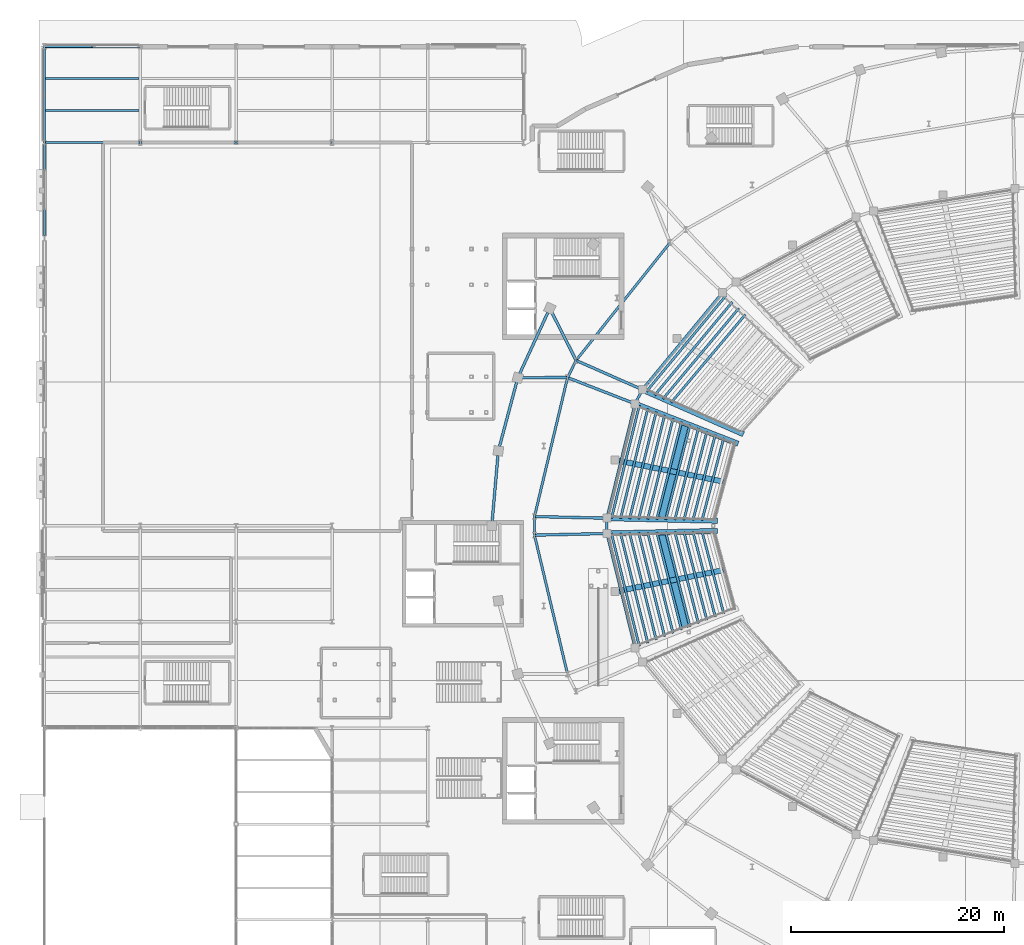
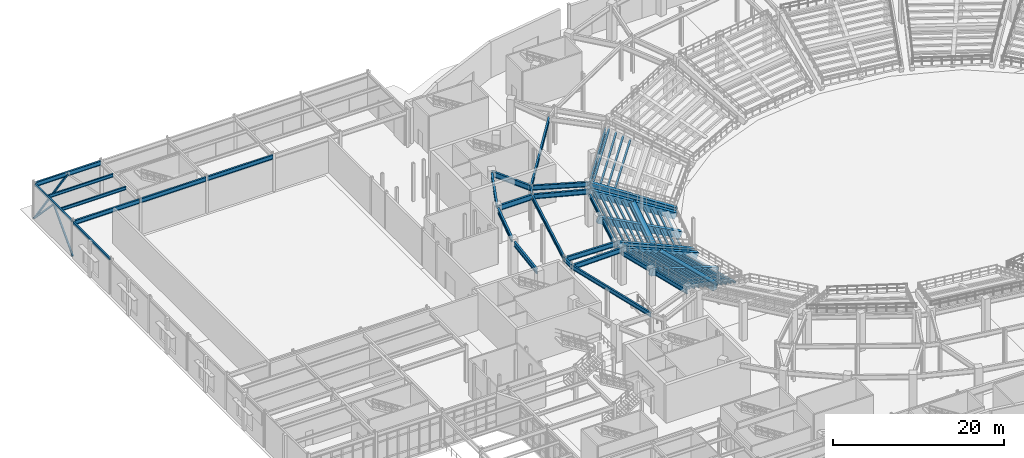
# One storey, part 34 of 79: 61 beams, 3 members.
"""IFC4 building model written with IfcOpenShell, lengths in metres."""

from ifc_helpers import new_model, si_unit, direction, frame, origin, origin_2d, place, context, subcontext, project, spatial, rectangle, hollow_rectangle, i_section, extrude, material, material_profile, profile_set, type_object, element, save


model = new_model("IFC4")

# Units and contexts
model_context = context("Model", 3, precision=1e-05, world=origin(), true_north=direction((0.0, 1.0)))
body_context = subcontext(model_context, "Body", "Model", "MODEL_VIEW")
ifc_project = project(units=[si_unit("LENGTHUNIT", "METRE"), si_unit("AREAUNIT", "SQUARE_METRE"), si_unit("VOLUMEUNIT", "CUBIC_METRE"), si_unit("PLANEANGLEUNIT", "RADIAN"), si_unit("MASSUNIT", "GRAM", prefix="KILO")], contexts=[model_context])

# Site, building, storey
site_placement = place(None, origin())
site = spatial("IfcSite", under=ifc_project, at=site_placement, CompositionType="ELEMENT")
building_placement = place(site_placement, origin())
building = spatial("IfcBuilding", under=site, at=building_placement, Name="Glasvene Arena", CompositionType="ELEMENT")
storey_placement = place(building_placement, origin())
storey = spatial("IfcBuildingStorey", under=building, at=storey_placement, Name="L00", CompositionType="ELEMENT", Elevation=0.0)

# Beams
ifc_material_1 = material(Name="Steel S355J2", Category="steel")
ifc_material_profile_1 = material_profile(ifc_material_1, i_section(OverallWidth=0.228271484375, OverallDepth=0.607666015625, WebThickness=0.010986328125, FlangeThickness=0.017333984375, FilletRadius=0.0126953125, at=origin_2d()), Name="UKB 610x229x113")
ifc_profile_set_1 = profile_set([ifc_material_profile_1], Name="Steel S355J2")
beam_type_1 = type_object("IfcBeamType", Name="BM-GIRD-610", PredefinedType="BEAM", material=ifc_profile_set_1)
for number, where, z_axis, x_axis, name in (
    (1, (0.050048828125, 109.0, 4.816162109375), (1.0, 0.0, 0.0), (0.0, 1.0, 0.0), "Primary X girder L00-0334"),
    (2, (9.050048828125, 109.0, 4.816162109375), (1.0, 0.0, 0.0), (0.0, 1.0, 0.0), "Primary X girder L00-0335"),
    (3, (18.050048828125, 109.0, 4.816162109375), (1.0, 0.0, 0.0), (0.0, 1.0, 0.0), "Primary X girder L00-0336"),
    (4, (0.050048828125, 118.0, 4.816162109375), (1.0, 0.0, 0.0), (0.0, 1.0, 0.0), "Primary X girder L00-0343"),
):
    element("IfcBeam", number, at=place(storey_placement, frame(where, z_axis=z_axis, x_axis=x_axis)), inside=storey, type_object=beam_type_1, Name=name, PredefinedType="BEAM", context=body_context, shape_type="SweptSolid", body=[
        extrude(i_section(OverallWidth=0.228271484375, OverallDepth=0.607666015625, WebThickness=0.010986328125, FlangeThickness=0.017333984375, FilletRadius=0.0126953125, at=origin_2d()), origin(), (0.0, 0.0, 1.0), 8.89990234375),
    ])
beam_1_placement = place(storey_placement, frame((58.743408203125, 99.59912109375, 4.81494140625), z_axis=(-0.623899670594, -0.781504447226, 0.0), x_axis=(0.781504447226, -0.623899670594, 0.0)))
element("IfcBeam", 5, at=beam_1_placement, inside=storey, type_object=beam_type_1, Name="Concourse inner ring girder L00-13", PredefinedType="BEAM", context=body_context, shape_type="SweptSolid", body=[
    extrude(i_section(OverallWidth=0.228271484375, OverallDepth=0.607666015625, WebThickness=0.010986328125, FlangeThickness=0.017333984375, FilletRadius=0.0126953125, at=origin_2d()), origin(), (0.0, 0.0, 1.0), 14.1552734375),
])
beam_2_placement = place(storey_placement, frame((63.65966796875, 94.90087890625, 4.35009765625), z_axis=(-0.636971685607, -0.770887197802, 0.0), x_axis=(0.770887197802, -0.636971685607, 0.0)))
element("IfcBeam", 6, at=beam_2_placement, inside=storey, type_object=beam_type_1, Name="Mid-bowl ring girder L00-13", PredefinedType="BEAM", context=body_context, shape_type="SweptSolid", body=[
    extrude(i_section(OverallWidth=0.228271484375, OverallDepth=0.607666015625, WebThickness=0.010986328125, FlangeThickness=0.017333984375, FilletRadius=0.0126953125, at=origin_2d()), origin(), (0.0, 0.0, 1.0), 11.8154296875),
])
beam_3_placement = place(storey_placement, frame((49.911865234375, 88.53662109375, 4.81494140625), z_axis=(-0.443576698242, -0.896236415672, 0.0), x_axis=(0.896236415672, -0.443576698242, 0.0)))
element("IfcBeam", 7, at=beam_3_placement, inside=storey, type_object=beam_type_1, Name="Concourse inner ring girder L00-14", PredefinedType="BEAM", context=body_context, shape_type="SweptSolid", body=[
    extrude(i_section(OverallWidth=0.228271484375, OverallDepth=0.607666015625, WebThickness=0.010986328125, FlangeThickness=0.017333984375, FilletRadius=0.0126953125, at=origin_2d()), origin(), (0.0, 0.0, 1.0), 1.80078125),
])
beam_4_placement = place(storey_placement, frame((56.133544921875, 85.79248046875, 4.35009765625), z_axis=(-0.455825325707, -0.890069251488, 0.0), x_axis=(0.890069251488, -0.455825325707, 0.0)))
element("IfcBeam", 8, at=beam_4_placement, inside=storey, type_object=beam_type_1, Name="Mid-bowl ring girder L00-14", PredefinedType="BEAM", context=body_context, shape_type="SweptSolid", body=[
    extrude(i_section(OverallWidth=0.228271484375, OverallDepth=0.607666015625, WebThickness=0.010986328125, FlangeThickness=0.017333984375, FilletRadius=0.0126953125, at=origin_2d()), origin(), (0.0, 0.0, 1.0), 1.4931640625),
])
beam_5_placement = place(storey_placement, frame((49.113037109375, 86.922607421875, 4.81494140625), z_axis=(-0.23122513322, -0.972900271234, 0.0), x_axis=(0.972900271234, -0.23122513322, 0.0)))
element("IfcBeam", 9, at=beam_5_placement, inside=storey, type_object=beam_type_1, Name="Concourse inner ring girder L00-15", PredefinedType="BEAM", context=body_context, shape_type="SweptSolid", body=[
    extrude(i_section(OverallWidth=0.228271484375, OverallDepth=0.607666015625, WebThickness=0.010986328125, FlangeThickness=0.017333984375, FilletRadius=0.0126953125, at=origin_2d()), origin(), (0.0, 0.0, 1.0), 13.41259765625),
])
beam_6_placement = place(storey_placement, frame((55.452880859375, 84.46337890625, 4.35009765625), z_axis=(-0.23885804662, -0.971054495672, 0.0), x_axis=(0.971054495672, -0.23885804662, 0.0)))
element("IfcBeam", 10, at=beam_6_placement, inside=storey, type_object=beam_type_1, Name="Mid-bowl ring girder L00-15", PredefinedType="BEAM", context=body_context, shape_type="SweptSolid", body=[
    extrude(i_section(OverallWidth=0.228271484375, OverallDepth=0.607666015625, WebThickness=0.010986328125, FlangeThickness=0.017333984375, FilletRadius=0.0126953125, at=origin_2d()), origin(), (0.0, 0.0, 1.0), 11.064453125),
])
beam_7_placement = place(storey_placement, frame((46.01171875, 73.87353515625, 4.81494140625), z_axis=(0.0, -1.0, 0.0), x_axis=(1.0, 0.0, 0.0)))
element("IfcBeam", 11, at=beam_7_placement, inside=storey, type_object=beam_type_1, Name="Concourse inner ring girder L00-16", PredefinedType="BEAM", context=body_context, shape_type="SweptSolid", body=[
    extrude(i_section(OverallWidth=0.228271484375, OverallDepth=0.607666015625, WebThickness=0.010986328125, FlangeThickness=0.017333984375, FilletRadius=0.0126953125, at=origin_2d()), origin(), (0.0, 0.0, 1.0), 1.7470703125),
])
beam_8_placement = place(storey_placement, frame((52.81005859375, 73.71923828125, 4.35009765625), z_axis=(0.0, -1.0, 0.0), x_axis=(1.0, 0.0, 0.0)))
element("IfcBeam", 12, at=beam_8_placement, inside=storey, type_object=beam_type_1, Name="Mid-bowl ring girder L00-16", PredefinedType="BEAM", context=body_context, shape_type="SweptSolid", body=[
    extrude(i_section(OverallWidth=0.228271484375, OverallDepth=0.607666015625, WebThickness=0.010986328125, FlangeThickness=0.017333984375, FilletRadius=0.0126953125, at=origin_2d()), origin(), (0.0, 0.0, 1.0), 1.4384765625),
])
beam_9_placement = place(storey_placement, frame((46.01171875, 72.12646484375, 4.81494140625), z_axis=(0.23122513322, -0.972900271234, 0.0), x_axis=(0.972900271234, 0.23122513322, 0.0)))
element("IfcBeam", 13, at=beam_9_placement, inside=storey, type_object=beam_type_1, Name="Concourse inner ring girder L00-17", PredefinedType="BEAM", context=body_context, shape_type="SweptSolid", body=[
    extrude(i_section(OverallWidth=0.228271484375, OverallDepth=0.607666015625, WebThickness=0.010986328125, FlangeThickness=0.017333984375, FilletRadius=0.0126953125, at=origin_2d()), origin(), (0.0, 0.0, 1.0), 13.41259765625),
])
beam_10_placement = place(storey_placement, frame((52.81005859375, 72.28076171875, 4.35009765625), z_axis=(0.23885804662, -0.971054495672, 0.0), x_axis=(0.971054495672, 0.23885804662, 0.0)))
element("IfcBeam", 14, at=beam_10_placement, inside=storey, type_object=beam_type_1, Name="Mid-bowl ring girder L00-17", PredefinedType="BEAM", context=body_context, shape_type="SweptSolid", body=[
    extrude(i_section(OverallWidth=0.228271484375, OverallDepth=0.607666015625, WebThickness=0.010986328125, FlangeThickness=0.017333984375, FilletRadius=0.0126953125, at=origin_2d()), origin(), (0.0, 0.0, 1.0), 11.064453125),
])
ifc_material_profile_2 = material_profile(ifc_material_1, i_section(OverallWidth=0.253662109375, OverallDepth=0.68359375, WebThickness=0.012451171875, FlangeThickness=0.01904296875, FilletRadius=0.01513671875, at=origin_2d()), Name="UKB 686x254x140")
ifc_profile_set_2 = profile_set([ifc_material_profile_2], Name="Steel S355J2")
beam_type_2 = type_object("IfcBeamType", Name="BM-GIRD-686", PredefinedType="BEAM", material=ifc_profile_set_2)
beam_11_placement = place(storey_placement, frame((47.274169921875, 93.048095703125, 4.7783203125), z_axis=(-0.418091163951, -0.908405074087, 0.0), x_axis=(0.908405074087, -0.418091163951, 0.0)))
element("IfcBeam", 15, at=beam_11_placement, inside=storey, type_object=beam_type_2, Name="Bowl ring chord beam L00-18", PredefinedType="BEAM", context=body_context, shape_type="SweptSolid", body=[
    extrude(i_section(OverallWidth=0.253662109375, OverallDepth=0.68359375, WebThickness=0.012451171875, FlangeThickness=0.01904296875, FilletRadius=0.01513671875, at=origin_2d()), origin(), (0.0, 0.0, 1.0), 6.341552734375),
])
beam_12_placement = place(storey_placement, frame((44.3388671875, 86.5, 4.7783203125), z_axis=(-0.257723273136, -0.966218771544, 0.0), x_axis=(0.966218771544, -0.257723273136, 0.0)))
element("IfcBeam", 16, at=beam_12_placement, inside=storey, type_object=beam_type_2, Name="Bowl ring chord beam L00-19", PredefinedType="BEAM", context=body_context, shape_type="SweptSolid", body=[
    extrude(i_section(OverallWidth=0.253662109375, OverallDepth=0.68359375, WebThickness=0.012451171875, FlangeThickness=0.01904296875, FilletRadius=0.01513671875, at=origin_2d()), origin(), (0.0, 0.0, 1.0), 6.266357421875),
])
beam_13_placement = place(storey_placement, frame((42.5791015625, 79.62109375, 4.7783203125), z_axis=(-0.087127064211, -0.996197206723, 0.0), x_axis=(0.996197206723, -0.087127064211, 0.0)))
element("IfcBeam", 17, at=beam_13_placement, inside=storey, type_object=beam_type_2, Name="Bowl ring chord beam L00-20", PredefinedType="BEAM", context=body_context, shape_type="SweptSolid", body=[
    extrude(i_section(OverallWidth=0.253662109375, OverallDepth=0.68359375, WebThickness=0.012451171875, FlangeThickness=0.01904296875, FilletRadius=0.01513671875, at=origin_2d()), origin(), (0.0, 0.0, 1.0), 6.226318359375),
])
for number, where, z_axis, x_axis, name in (
    (18, (56.133544921875, 85.79248046875, 4.7783203125), (-0.914956794247, 0.40355181162, 0.0), (-0.40355181162, -0.914956794247, 0.0), "Mid-to-rear radial girder L00-14"),
    (19, (55.452880859375, 84.46337890625, 4.7783203125), (-0.932315610983, 0.361645685052, 0.0), (-0.361645685052, -0.932315610983, 0.0), "Mid-to-rear radial girder L00-15"),
    (20, (52.81005859375, 73.71923828125, 4.7783203125), (-0.9997425394, 0.022690414598, 0.0), (-0.022690414598, -0.9997425394, 0.0), "Mid-to-rear radial girder L00-16"),
    (21, (52.81005859375, 72.28076171875, 4.7783203125), (-0.9997425394, -0.022690414598, 0.0), (0.022690414598, -0.9997425394, 0.0), "Mid-to-rear radial girder L00-17"),
):
    element("IfcBeam", number, at=place(storey_placement, frame(where, z_axis=z_axis, x_axis=x_axis)), inside=storey, type_object=beam_type_2, Name=name, PredefinedType="BEAM", context=body_context, shape_type="SweptSolid", body=[
        extrude(i_section(OverallWidth=0.253662109375, OverallDepth=0.68359375, WebThickness=0.012451171875, FlangeThickness=0.01904296875, FilletRadius=0.01513671875, at=origin_2d()), origin(), (0.0, 0.0, 1.0), 6.800048828125),
    ])
ifc_material_profile_3 = material_profile(ifc_material_1, i_section(OverallWidth=0.2666015625, OverallDepth=0.76220703125, WebThickness=0.014404296875, FlangeThickness=0.021484375, FilletRadius=0.0166015625, at=origin_2d()), Name="UKB 762x267x173")
ifc_profile_set_3 = profile_set([ifc_material_profile_3], Name="Steel S355J2")
beam_type_3 = type_object("IfcBeamType", Name="BM-GIRD-762", PredefinedType="BEAM", material=ifc_profile_set_3)
beam_14_placement = place(storey_placement, frame((49.911865234375, 88.53662109375, 4.739013671875), z_axis=(-0.449494152887, 0.893283273391, 0.0), x_axis=(-0.893283273391, -0.449494152887, 0.0)))
element("IfcBeam", 22, at=beam_14_placement, inside=storey, type_object=beam_type_3, Name="Radial concourse girder L00-14", PredefinedType="BEAM", context=body_context, shape_type="SweptSolid", body=[
    extrude(i_section(OverallWidth=0.2666015625, OverallDepth=0.76220703125, WebThickness=0.014404296875, FlangeThickness=0.021484375, FilletRadius=0.0166015625, at=origin_2d()), origin(), (0.0, 0.0, 1.0), 5.4775390625),
])
beam_15_placement = place(storey_placement, frame((49.113037109375, 86.922607421875, 4.739013671875), z_axis=(-0.999993482259, -0.003610462575, 0.0), x_axis=(0.003610462575, -0.999993482259, 0.0)))
element("IfcBeam", 23, at=beam_15_placement, inside=storey, type_object=beam_type_3, Name="Radial concourse girder L00-15", PredefinedType="BEAM", context=body_context, shape_type="SweptSolid", body=[
    extrude(i_section(OverallWidth=0.2666015625, OverallDepth=0.76220703125, WebThickness=0.014404296875, FlangeThickness=0.021484375, FilletRadius=0.0166015625, at=origin_2d()), origin(), (0.0, 0.0, 1.0), 4.665771484375),
])
ifc_material_profile_4 = material_profile(ifc_material_1, i_section(OverallWidth=0.1904296875, OverallDepth=0.45703125, WebThickness=0.009033203125, FlangeThickness=0.014404296875, FilletRadius=0.01025390625, at=origin_2d()), Name="UKB 457x191x74")
ifc_profile_set_4 = profile_set([ifc_material_profile_4], Name="Steel S355J2")
beam_type_4 = type_object("IfcBeamType", Name="BM-JOIST-457", PredefinedType="JOIST", material=ifc_profile_set_4)
for number, where, z_axis, x_axis, name in (
    (24, (0.095947265625, 112.0, 4.8916015625), (1.0, 0.0, 0.0), (0.0, 1.0, 0.0), "Composite floor joist L00-0434"),
    (25, (0.095947265625, 115.0, 4.8916015625), (1.0, 0.0, 0.0), (0.0, 1.0, 0.0), "Composite floor joist L00-0435"),
):
    element("IfcBeam", number, at=place(storey_placement, frame(where, z_axis=z_axis, x_axis=x_axis)), inside=storey, type_object=beam_type_4, Name=name, PredefinedType="JOIST", context=body_context, shape_type="SweptSolid", body=[
        extrude(i_section(OverallWidth=0.1904296875, OverallDepth=0.45703125, WebThickness=0.009033203125, FlangeThickness=0.014404296875, FilletRadius=0.01025390625, at=origin_2d()), origin(), (0.0, 0.0, 1.0), 8.7939453125),
    ])
ifc_material_2 = material(Name="Precast concrete C50/60", Category="concrete")
ifc_material_profile_5 = material_profile(ifc_material_2, rectangle(XDim=0.5, YDim=0.89990234375, at=origin_2d()), Name="RC 500x900")
ifc_profile_set_5 = profile_set([ifc_material_profile_5], Name="Precast concrete C50/60")
beam_type_5 = type_object("IfcBeamType", Name="BM-RAKER-LOW", PredefinedType="USERDEFINED", material=ifc_profile_set_5)
for number, where, z_axis, x_axis, name in (
    (26, (65.46630859375, 81.67626953125, 0.2900390625), (-0.840132416913, 0.370539999193, 0.396077809339), (-0.403542974047, -0.914960692105, 0.0), "Lower bowl raker beam RKL-07-3"),
    (27, (64.962646484375, 80.77490234375, 0.2900390625), (-0.856077067342, 0.332039749779, 0.396082894528), (-0.361614477563, -0.932327715783, 0.0), "Lower bowl raker beam RKL-08-1"),
):
    element("IfcBeam", number, at=place(storey_placement, frame(where, z_axis=z_axis, x_axis=x_axis)), inside=storey, type_object=beam_type_5, Name=name, ObjectType="RAKER BEAM", PredefinedType="USERDEFINED", context=body_context, shape_type="SweptSolid", body=[
        extrude(rectangle(XDim=0.5, YDim=0.89990234375, at=origin_2d()), origin(), (0.0, 0.0, 1.0), 11.108642578125),
    ])
beam_16_placement = place(storey_placement, frame((63.55712890625, 77.1943359375, 0.27001953125), z_axis=(-0.900568413777, 0.179142257436, 0.396086586126), x_axis=(-0.195098768209, -0.980783600313, 0.0)))
element("IfcBeam", 28, at=beam_16_placement, inside=storey, type_object=beam_type_5, Name="Lower bowl raker beam RKL-08-2", ObjectType="RAKER BEAM", PredefinedType="USERDEFINED", context=body_context, shape_type="SweptSolid", body=[
    extrude(rectangle(XDim=0.5, YDim=0.89990234375, at=origin_2d()), origin(), (0.0, 0.0, 1.0), 11.1083984375),
])
for number, where, z_axis, x_axis, name in (
    (29, (63.007568359375, 73.48779296875, 0.2900390625), (-0.917979924827, 0.020834709204, 0.396079250287), (-0.022690414598, -0.9997425394, 0.0), "Lower bowl raker beam RKL-08-3"),
    (30, (63.007568359375, 72.51220703125, 0.2900390625), (-0.917979924827, -0.020834709204, 0.396079250287), (0.022690414598, -0.9997425394, 0.0), "Lower bowl raker beam RKL-09-1"),
):
    element("IfcBeam", number, at=place(storey_placement, frame(where, z_axis=z_axis, x_axis=x_axis)), inside=storey, type_object=beam_type_5, Name=name, ObjectType="RAKER BEAM", PredefinedType="USERDEFINED", context=body_context, shape_type="SweptSolid", body=[
        extrude(rectangle(XDim=0.5, YDim=0.89990234375, at=origin_2d()), origin(), (0.0, 0.0, 1.0), 11.108642578125),
    ])
beam_17_placement = place(storey_placement, frame((63.55712890625, 68.8056640625, 0.27001953125), z_axis=(-0.900568413777, -0.179142257436, 0.396086586126), x_axis=(0.195098768209, -0.980783600313, 0.0)))
element("IfcBeam", 31, at=beam_17_placement, inside=storey, type_object=beam_type_5, Name="Lower bowl raker beam RKL-09-2", ObjectType="RAKER BEAM", PredefinedType="USERDEFINED", context=body_context, shape_type="SweptSolid", body=[
    extrude(rectangle(XDim=0.5, YDim=0.89990234375, at=origin_2d()), origin(), (0.0, 0.0, 1.0), 11.1083984375),
])
ifc_material_profile_6 = material_profile(ifc_material_2, rectangle(XDim=0.60009765625, YDim=1.10009765625, at=origin_2d()), Name="RC 600x1100")
ifc_profile_set_6 = profile_set([ifc_material_profile_6], Name="Precast concrete C50/60")
beam_type_6 = type_object("IfcBeamType", Name="BM-RAKER-MID", PredefinedType="USERDEFINED", material=ifc_profile_set_6)
for number, where, z_axis, x_axis, name in (
    (32, (60.207763671875, 82.619140625, 2.3798828125), (-0.247101776882, -0.968989531348, 0.0), (0.968989531348, -0.247101776882, 0.0), "Lower bowl tie raker beam RKM-08"),
    (33, (57.90869140625, 72.396484375, 2.3798828125), (0.247101776882, -0.968989531348, 0.0), (0.968989531348, 0.247101776882, 0.0), "Lower bowl tie raker beam RKM-09"),
):
    element("IfcBeam", number, at=place(storey_placement, frame(where, z_axis=z_axis, x_axis=x_axis)), inside=storey, type_object=beam_type_6, Name=name, ObjectType="RAKER BEAM", PredefinedType="USERDEFINED", context=body_context, shape_type="SweptSolid", body=[
        extrude(rectangle(XDim=0.60009765625, YDim=1.10009765625, at=origin_2d()), origin(), (0.0, 0.0, 1.0), 9.30419921875),
    ])
ifc_material_profile_7 = material_profile(ifc_material_1, hollow_rectangle(XDim=0.199951171875, YDim=0.300048828125, WallThickness=0.012451171875, at=origin_2d()), Name="RHS 300x200x12.5")
ifc_profile_set_7 = profile_set([ifc_material_profile_7], Name="Steel S355J2")
beam_type_7 = type_object("IfcBeamType", Name="BM-SPAND-300", PredefinedType="SPANDREL", material=ifc_profile_set_7)
for number, where, z_axis, x_axis, name in (
    (34, (0.0, 100.2451171875, 4.969970703125), (0.0, 1.0, 0.0), (-1.0, 0.0, 0.0), "Primary Y girder L00-0360"),
    (35, (0.0, 109.17919921875, 4.969970703125), (0.0, 1.0, 0.0), (-1.0, 0.0, 0.0), "Primary Y girder L00-0361"),
):
    element("IfcBeam", number, at=place(storey_placement, frame(where, z_axis=z_axis, x_axis=x_axis)), inside=storey, type_object=beam_type_7, Name=name, PredefinedType="SPANDREL", context=body_context, shape_type="SweptSolid", body=[
        extrude(hollow_rectangle(XDim=0.199951171875, YDim=0.300048828125, WallThickness=0.012451171875, at=origin_2d()), origin(), (0.0, 0.0, 1.0), 8.57568359375),
    ])
ifc_material_profile_8 = material_profile(ifc_material_2, rectangle(XDim=0.219970703125, YDim=0.219970703125, at=origin_2d()), Name="RC 220x220")
ifc_profile_set_8 = profile_set([ifc_material_profile_8], Name="Precast concrete C50/60")
beam_type_8 = type_object("IfcBeamType", Name="BM-TIER-BEARER", PredefinedType="BEAM", material=ifc_profile_set_8)
beam_18_placement = place(storey_placement, frame((65.814208984375, 92.842041015625, 3.465087890625), z_axis=(-0.644400439475, -0.764688219867, 0.0), x_axis=(0.764688219867, -0.644400439475, 0.0)))
element("IfcBeam", 36, at=beam_18_placement, inside=storey, type_object=beam_type_8, Name="Lower tier precast row bearer 07-R09", PredefinedType="BEAM", context=body_context, shape_type="SweptSolid", body=[
    extrude(rectangle(XDim=0.219970703125, YDim=0.219970703125, at=origin_2d()), origin(), (0.0, 0.0, 1.0), 10.79150390625),
])
beam_19_placement = place(storey_placement, frame((65.19970703125, 93.429443359375, 3.844970703125), z_axis=(-0.642136609284, -0.766590226273, 0.0), x_axis=(0.766590226273, -0.642136609284, 0.0)))
element("IfcBeam", 37, at=beam_19_placement, inside=storey, type_object=beam_type_8, Name="Lower tier precast row bearer 07-R10", PredefinedType="BEAM", context=body_context, shape_type="SweptSolid", body=[
    extrude(rectangle(XDim=0.219970703125, YDim=0.219970703125, at=origin_2d()), origin(), (0.0, 0.0, 1.0), 11.08349609375),
])
beam_20_placement = place(storey_placement, frame((64.585205078125, 94.0166015625, 4.22509765625), z_axis=(-0.640007060348, -0.768369027684, 0.0), x_axis=(0.768369027684, -0.640007060348, 0.0)))
element("IfcBeam", 38, at=beam_20_placement, inside=storey, type_object=beam_type_8, Name="Lower tier precast row bearer 07-R11", PredefinedType="BEAM", context=body_context, shape_type="SweptSolid", body=[
    extrude(rectangle(XDim=0.219970703125, YDim=0.219970703125, at=origin_2d()), origin(), (0.0, 0.0, 1.0), 11.375732421875),
])
beam_21_placement = place(storey_placement, frame((63.970703125, 94.60400390625, 4.60498046875), z_axis=(-0.637956893012, -0.770072076275, 0.0), x_axis=(0.770072076275, -0.637956893012, 0.0)))
element("IfcBeam", 39, at=beam_21_placement, inside=storey, type_object=beam_type_8, Name="Lower tier precast row bearer 07-R12", PredefinedType="BEAM", context=body_context, shape_type="SweptSolid", body=[
    extrude(rectangle(XDim=0.219970703125, YDim=0.219970703125, at=origin_2d()), origin(), (0.0, 0.0, 1.0), 11.66796875),
])
beam_22_placement = place(storey_placement, frame((63.778564453125, 81.234130859375, 0.804931640625), z_axis=(-0.25564625341, -0.966770393174, 0.0), x_axis=(0.966770393174, -0.25564625341, 0.0)))
element("IfcBeam", 40, at=beam_22_placement, inside=storey, type_object=beam_type_8, Name="Lower tier precast row bearer 08-R02", PredefinedType="BEAM", context=body_context, shape_type="SweptSolid", body=[
    extrude(rectangle(XDim=0.219970703125, YDim=0.219970703125, at=origin_2d()), origin(), (0.0, 0.0, 1.0), 7.98291015625),
])
beam_23_placement = place(storey_placement, frame((62.986083984375, 81.54150390625, 1.18505859375), z_axis=(-0.253521739186, -0.967329689279, 0.0), x_axis=(0.967329689279, -0.253521739186, 0.0)))
element("IfcBeam", 41, at=beam_23_placement, inside=storey, type_object=beam_type_8, Name="Lower tier precast row bearer 08-R03", PredefinedType="BEAM", context=body_context, shape_type="SweptSolid", body=[
    extrude(rectangle(XDim=0.219970703125, YDim=0.219970703125, at=origin_2d()), origin(), (0.0, 0.0, 1.0), 8.27587890625),
])
beam_24_placement = place(storey_placement, frame((62.193603515625, 81.84912109375, 1.56494140625), z_axis=(-0.251534579862, -0.967848312048, 0.0), x_axis=(0.967848312048, -0.251534579862, 0.0)))
element("IfcBeam", 42, at=beam_24_placement, inside=storey, type_object=beam_type_8, Name="Lower tier precast row bearer 08-R04", PredefinedType="BEAM", context=body_context, shape_type="SweptSolid", body=[
    extrude(rectangle(XDim=0.219970703125, YDim=0.219970703125, at=origin_2d()), origin(), (0.0, 0.0, 1.0), 8.569580078125),
])
beam_25_placement = place(storey_placement, frame((61.401123046875, 82.15625, 1.945068359375), z_axis=(-0.249665559128, -0.968332127209, 0.0), x_axis=(0.968332127209, -0.249665559128, 0.0)))
element("IfcBeam", 43, at=beam_25_placement, inside=storey, type_object=beam_type_8, Name="Lower tier precast row bearer 08-R05", PredefinedType="BEAM", context=body_context, shape_type="SweptSolid", body=[
    extrude(rectangle(XDim=0.219970703125, YDim=0.219970703125, at=origin_2d()), origin(), (0.0, 0.0, 1.0), 8.862548828125),
])
beam_26_placement = place(storey_placement, frame((60.608642578125, 82.463623046875, 2.324951171875), z_axis=(-0.247933940599, -0.968776940838, 0.0), x_axis=(0.968776940838, -0.247933940599, 0.0)))
element("IfcBeam", 44, at=beam_26_placement, inside=storey, type_object=beam_type_8, Name="Lower tier precast row bearer 08-R06", PredefinedType="BEAM", context=body_context, shape_type="SweptSolid", body=[
    extrude(rectangle(XDim=0.219970703125, YDim=0.219970703125, at=origin_2d()), origin(), (0.0, 0.0, 1.0), 9.15576171875),
])
beam_27_placement = place(storey_placement, frame((59.816162109375, 82.77099609375, 2.705078125), z_axis=(-0.246284836394, -0.969197492445, 0.0), x_axis=(0.969197492445, -0.246284836394, 0.0)))
element("IfcBeam", 45, at=beam_27_placement, inside=storey, type_object=beam_type_8, Name="Lower tier precast row bearer 08-R07", PredefinedType="BEAM", context=body_context, shape_type="SweptSolid", body=[
    extrude(rectangle(XDim=0.219970703125, YDim=0.219970703125, at=origin_2d()), origin(), (0.0, 0.0, 1.0), 9.448974609375),
])
beam_28_placement = place(storey_placement, frame((59.023681640625, 83.07861328125, 3.0849609375), z_axis=(-0.244751982827, -0.969585719213, 0.0), x_axis=(0.969585719213, -0.244751982827, 0.0)))
element("IfcBeam", 46, at=beam_28_placement, inside=storey, type_object=beam_type_8, Name="Lower tier precast row bearer 08-R08", PredefinedType="BEAM", context=body_context, shape_type="SweptSolid", body=[
    extrude(rectangle(XDim=0.219970703125, YDim=0.219970703125, at=origin_2d()), origin(), (0.0, 0.0, 1.0), 9.74267578125),
])
beam_29_placement = place(storey_placement, frame((58.231201171875, 83.385986328125, 3.465087890625), z_axis=(-0.243313996055, -0.969947575554, 0.0), x_axis=(0.969947575554, -0.243313996055, 0.0)))
element("IfcBeam", 47, at=beam_29_placement, inside=storey, type_object=beam_type_8, Name="Lower tier precast row bearer 08-R09", PredefinedType="BEAM", context=body_context, shape_type="SweptSolid", body=[
    extrude(rectangle(XDim=0.219970703125, YDim=0.219970703125, at=origin_2d()), origin(), (0.0, 0.0, 1.0), 10.035888671875),
])
beam_30_placement = place(storey_placement, frame((57.438720703125, 83.693115234375, 3.844970703125), z_axis=(-0.241962754924, -0.970285537988, 0.0), x_axis=(0.970285537988, -0.241962754924, 0.0)))
element("IfcBeam", 48, at=beam_30_placement, inside=storey, type_object=beam_type_8, Name="Lower tier precast row bearer 08-R10", PredefinedType="BEAM", context=body_context, shape_type="SweptSolid", body=[
    extrude(rectangle(XDim=0.219970703125, YDim=0.219970703125, at=origin_2d()), origin(), (0.0, 0.0, 1.0), 10.3291015625),
])
beam_31_placement = place(storey_placement, frame((56.646240234375, 84.00048828125, 4.22509765625), z_axis=(-0.240658648466, -0.970609816002, 0.0), x_axis=(0.970609816002, -0.240658648466, 0.0)))
element("IfcBeam", 49, at=beam_31_placement, inside=storey, type_object=beam_type_8, Name="Lower tier precast row bearer 08-R11", PredefinedType="BEAM", context=body_context, shape_type="SweptSolid", body=[
    extrude(rectangle(XDim=0.219970703125, YDim=0.219970703125, at=origin_2d()), origin(), (0.0, 0.0, 1.0), 10.62255859375),
])
beam_32_placement = place(storey_placement, frame((55.853759765625, 84.30810546875, 4.60498046875), z_axis=(-0.239440122271, -0.970911132827, 0.0), x_axis=(0.970911132827, -0.239440122271, 0.0)))
element("IfcBeam", 50, at=beam_32_placement, inside=storey, type_object=beam_type_8, Name="Lower tier precast row bearer 08-R12", PredefinedType="BEAM", context=body_context, shape_type="SweptSolid", body=[
    extrude(rectangle(XDim=0.219970703125, YDim=0.219970703125, at=origin_2d()), origin(), (0.0, 0.0, 1.0), 10.916259765625),
])
beam_33_placement = place(storey_placement, frame((61.73779296875, 72.4833984375, 0.804931640625), z_axis=(0.25564625341, -0.966770393174, 0.0), x_axis=(0.966770393174, 0.25564625341, 0.0)))
element("IfcBeam", 51, at=beam_33_placement, inside=storey, type_object=beam_type_8, Name="Lower tier precast row bearer 09-R02", PredefinedType="BEAM", context=body_context, shape_type="SweptSolid", body=[
    extrude(rectangle(XDim=0.219970703125, YDim=0.219970703125, at=origin_2d()), origin(), (0.0, 0.0, 1.0), 7.98291015625),
])
beam_34_placement = place(storey_placement, frame((60.887939453125, 72.464111328125, 1.18505859375), z_axis=(0.253521739186, -0.967329689279, 0.0), x_axis=(0.967329689279, 0.253521739186, 0.0)))
element("IfcBeam", 52, at=beam_34_placement, inside=storey, type_object=beam_type_8, Name="Lower tier precast row bearer 09-R03", PredefinedType="BEAM", context=body_context, shape_type="SweptSolid", body=[
    extrude(rectangle(XDim=0.219970703125, YDim=0.219970703125, at=origin_2d()), origin(), (0.0, 0.0, 1.0), 8.27587890625),
])
beam_35_placement = place(storey_placement, frame((60.0380859375, 72.44482421875, 1.56494140625), z_axis=(0.251534579862, -0.967848312048, 0.0), x_axis=(0.967848312048, 0.251534579862, 0.0)))
element("IfcBeam", 53, at=beam_35_placement, inside=storey, type_object=beam_type_8, Name="Lower tier precast row bearer 09-R04", PredefinedType="BEAM", context=body_context, shape_type="SweptSolid", body=[
    extrude(rectangle(XDim=0.219970703125, YDim=0.219970703125, at=origin_2d()), origin(), (0.0, 0.0, 1.0), 8.569580078125),
])
beam_36_placement = place(storey_placement, frame((59.1884765625, 72.425537109375, 1.945068359375), z_axis=(0.249665559128, -0.968332127209, 0.0), x_axis=(0.968332127209, 0.249665559128, 0.0)))
element("IfcBeam", 54, at=beam_36_placement, inside=storey, type_object=beam_type_8, Name="Lower tier precast row bearer 09-R05", PredefinedType="BEAM", context=body_context, shape_type="SweptSolid", body=[
    extrude(rectangle(XDim=0.219970703125, YDim=0.219970703125, at=origin_2d()), origin(), (0.0, 0.0, 1.0), 8.862548828125),
])
beam_37_placement = place(storey_placement, frame((58.338623046875, 72.40625, 2.324951171875), z_axis=(0.247933940599, -0.968776940838, 0.0), x_axis=(0.968776940838, 0.247933940599, 0.0)))
element("IfcBeam", 55, at=beam_37_placement, inside=storey, type_object=beam_type_8, Name="Lower tier precast row bearer 09-R06", PredefinedType="BEAM", context=body_context, shape_type="SweptSolid", body=[
    extrude(rectangle(XDim=0.219970703125, YDim=0.219970703125, at=origin_2d()), origin(), (0.0, 0.0, 1.0), 9.15576171875),
])
beam_38_placement = place(storey_placement, frame((57.489013671875, 72.386962890625, 2.705078125), z_axis=(0.246284836394, -0.969197492445, 0.0), x_axis=(0.969197492445, 0.246284836394, 0.0)))
element("IfcBeam", 56, at=beam_38_placement, inside=storey, type_object=beam_type_8, Name="Lower tier precast row bearer 09-R07", PredefinedType="BEAM", context=body_context, shape_type="SweptSolid", body=[
    extrude(rectangle(XDim=0.219970703125, YDim=0.219970703125, at=origin_2d()), origin(), (0.0, 0.0, 1.0), 9.448974609375),
])
beam_39_placement = place(storey_placement, frame((56.63916015625, 72.36767578125, 3.0849609375), z_axis=(0.244751982827, -0.969585719213, 0.0), x_axis=(0.969585719213, 0.244751982827, 0.0)))
element("IfcBeam", 57, at=beam_39_placement, inside=storey, type_object=beam_type_8, Name="Lower tier precast row bearer 09-R08", PredefinedType="BEAM", context=body_context, shape_type="SweptSolid", body=[
    extrude(rectangle(XDim=0.219970703125, YDim=0.219970703125, at=origin_2d()), origin(), (0.0, 0.0, 1.0), 9.74267578125),
])
beam_40_placement = place(storey_placement, frame((55.789306640625, 72.348388671875, 3.465087890625), z_axis=(0.243313996055, -0.969947575554, 0.0), x_axis=(0.969947575554, 0.243313996055, 0.0)))
element("IfcBeam", 58, at=beam_40_placement, inside=storey, type_object=beam_type_8, Name="Lower tier precast row bearer 09-R09", PredefinedType="BEAM", context=body_context, shape_type="SweptSolid", body=[
    extrude(rectangle(XDim=0.219970703125, YDim=0.219970703125, at=origin_2d()), origin(), (0.0, 0.0, 1.0), 10.035888671875),
])
beam_41_placement = place(storey_placement, frame((54.939453125, 72.3291015625, 3.844970703125), z_axis=(0.241962754924, -0.970285537988, 0.0), x_axis=(0.970285537988, 0.241962754924, 0.0)))
element("IfcBeam", 59, at=beam_41_placement, inside=storey, type_object=beam_type_8, Name="Lower tier precast row bearer 09-R10", PredefinedType="BEAM", context=body_context, shape_type="SweptSolid", body=[
    extrude(rectangle(XDim=0.219970703125, YDim=0.219970703125, at=origin_2d()), origin(), (0.0, 0.0, 1.0), 10.3291015625),
])
beam_42_placement = place(storey_placement, frame((54.08984375, 72.309814453125, 4.22509765625), z_axis=(0.240658648466, -0.970609816002, 0.0), x_axis=(0.970609816002, 0.240658648466, 0.0)))
element("IfcBeam", 60, at=beam_42_placement, inside=storey, type_object=beam_type_8, Name="Lower tier precast row bearer 09-R11", PredefinedType="BEAM", context=body_context, shape_type="SweptSolid", body=[
    extrude(rectangle(XDim=0.219970703125, YDim=0.219970703125, at=origin_2d()), origin(), (0.0, 0.0, 1.0), 10.62255859375),
])
beam_43_placement = place(storey_placement, frame((53.239990234375, 72.29052734375, 4.60498046875), z_axis=(0.239440122271, -0.970911132827, 0.0), x_axis=(0.970911132827, 0.239440122271, 0.0)))
element("IfcBeam", 61, at=beam_43_placement, inside=storey, type_object=beam_type_8, Name="Lower tier precast row bearer 09-R12", PredefinedType="BEAM", context=body_context, shape_type="SweptSolid", body=[
    extrude(rectangle(XDim=0.219970703125, YDim=0.219970703125, at=origin_2d()), origin(), (0.0, 0.0, 1.0), 10.916259765625),
])

# Members
ifc_material_profile_9 = material_profile(ifc_material_1, hollow_rectangle(XDim=0.199951171875, YDim=0.199951171875, WallThickness=0.010009765625, at=origin_2d()), Name="SHS 200x200x10.0")
ifc_profile_set_9 = profile_set([ifc_material_profile_9], Name="Steel S355J2")
member_type = type_object("IfcMemberType", Name="MB-BRACE-SHS200", PredefinedType="BRACE", material=ifc_profile_set_9)
for number, where, z_axis, x_axis, name in (
    (62, (0.0, 109.0, 0.050048828125), (0.0, 0.690040218266, 0.723771025377), (-1.0, 0.0, 0.0), "Perimeter lateral chevron brace L00-017-A"),
    (63, (0.0, 118.0, 0.050048828125), (0.0, -0.690040218266, 0.723771025377), (1.0, 0.0, 0.0), "Perimeter lateral chevron brace L00-018-B"),
    (64, (0.0, 118.0, 0.050048828125), (0.690040218266, 0.0, 0.723771025377), (0.0, 1.0, 0.0), "Perimeter lateral chevron brace L00-025-A"),
):
    element("IfcMember", number, at=place(storey_placement, frame(where, z_axis=z_axis, x_axis=x_axis)), inside=storey, type_object=member_type, Name=name, PredefinedType="BRACE", context=body_context, shape_type="SweptSolid", body=[
        extrude(hollow_rectangle(XDim=0.199951171875, YDim=0.199951171875, WallThickness=0.010009765625, at=origin_2d()), origin(), (0.0, 0.0, 1.0), 6.521240234375),
    ])

save(model, "model.ifc")
